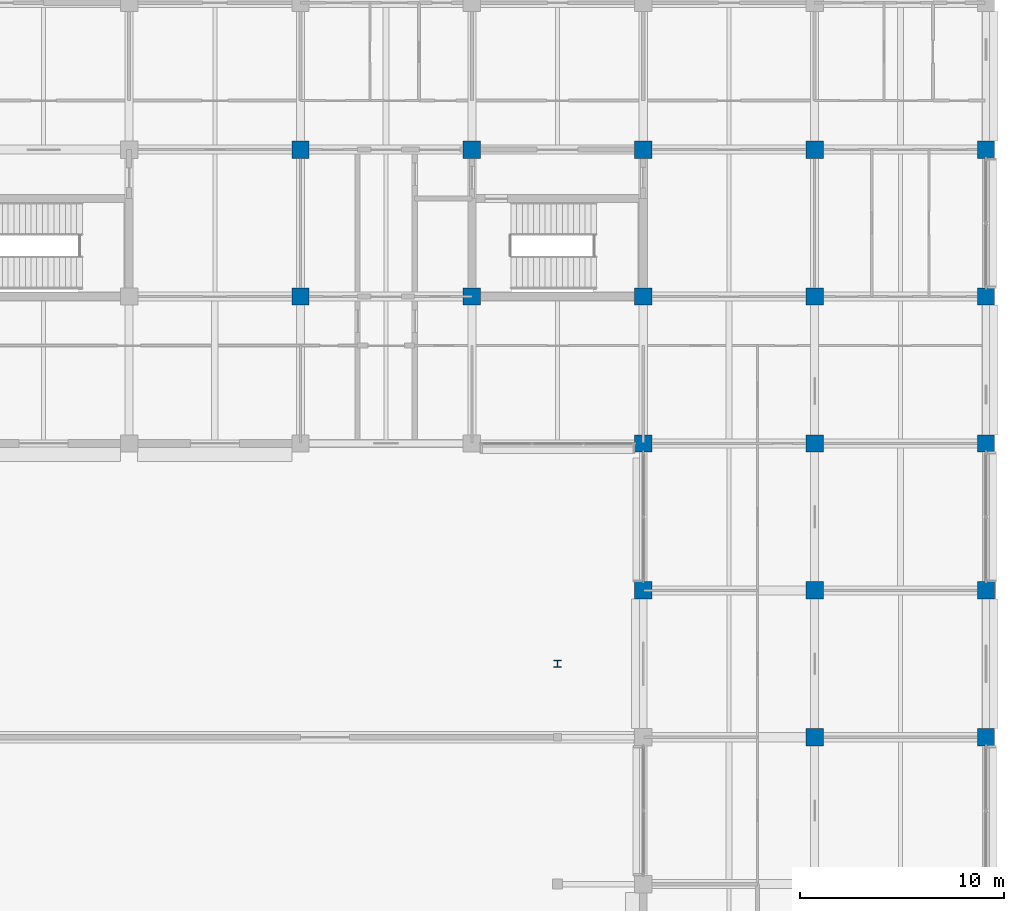
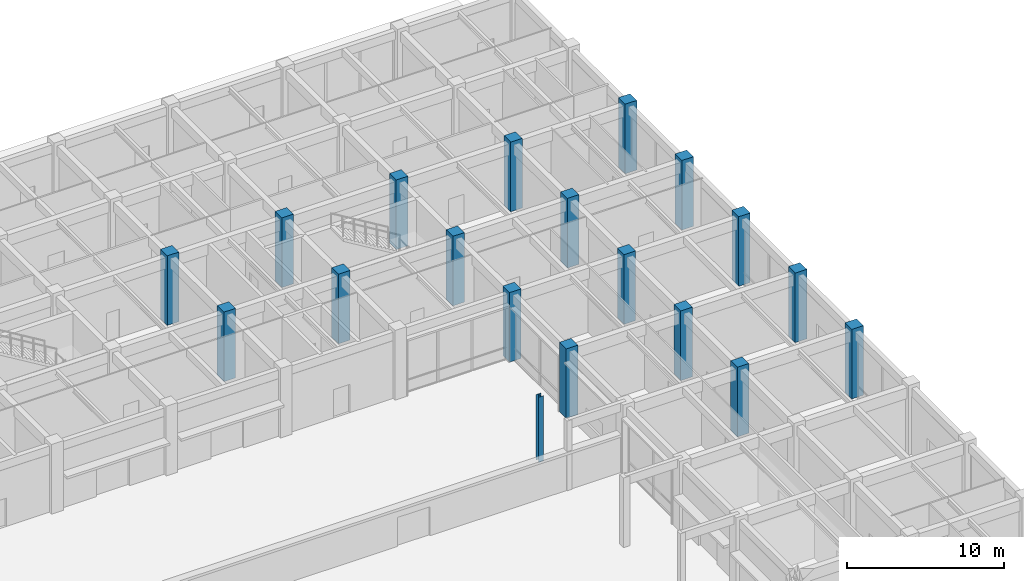
# One storey, part 6 of 73: 19 columns.
"""IFC4 building model written with IfcOpenShell, lengths in metres."""

from ifc_helpers import new_model, si_unit, direction, frame, origin, origin_2d, place, context, subcontext, project, spatial, rectangle, i_section, extrude, material, material_profile, profile_set, type_object, element, save


model = new_model("IFC4")

# Units and contexts
model_context = context("Model", 3, precision=1e-05, world=origin(), true_north=direction((0.0, 1.0)))
body_context = subcontext(model_context, "Body", "Model", "MODEL_VIEW")
ifc_project = project(units=[si_unit("LENGTHUNIT", "METRE"), si_unit("AREAUNIT", "SQUARE_METRE"), si_unit("VOLUMEUNIT", "CUBIC_METRE"), si_unit("PLANEANGLEUNIT", "RADIAN"), si_unit("MASSUNIT", "GRAM", prefix="KILO")], contexts=[model_context])

# Site, building, storey
site_placement = place(None, origin())
site = spatial("IfcSite", under=ifc_project, at=site_placement, CompositionType="ELEMENT")
building_placement = place(site_placement, origin())
building = spatial("IfcBuilding", under=site, at=building_placement, Name="Chengyuan Square Courthouse", CompositionType="ELEMENT")
storey_placement = place(building_placement, origin())
storey = spatial("IfcBuildingStorey", under=building, at=storey_placement, Name="L01", CompositionType="ELEMENT", Elevation=0.0)

# Columns
ifc_material_1 = material(Name="Concrete C50", Category="concrete")
ifc_material_profile_1 = material_profile(ifc_material_1, rectangle(XDim=0.85009765625, YDim=0.85009765625, at=origin_2d()), Name="RC-COL-850x850")
ifc_profile_set_1 = profile_set([ifc_material_profile_1], Name="Concrete C50")
column_type_1 = type_object("IfcColumnType", Name="CL-03", PredefinedType="COLUMN", material=ifc_profile_set_1)
for number, where, z_axis, x_axis, name in (
    (1, (134.39990234375, 86.39990234375, 0.0), (0.0, 0.0, 1.0), (1.0, 0.0, 0.0), "Column CL-L01-131"),
    (2, (134.39990234375, 93.60009765625, 0.0), (0.0, 0.0, 1.0), (1.0, 0.0, 0.0), "Column CL-L01-132"),
    (3, (142.800048828125, 86.39990234375, 0.0), (0.0, 0.0, 1.0), (1.0, 0.0, 0.0), "Column CL-L01-136"),
    (4, (142.800048828125, 93.60009765625, 0.0), (0.0, 0.0, 1.0), (1.0, 0.0, 0.0), "Column CL-L01-137"),
    (5, (151.199951171875, 72.0, 0.0), (0.0, 0.0, 1.0), (1.0, 0.0, 0.0), "Column CL-L01-150"),
    (6, (151.199951171875, 79.199951171875, 0.0), (0.0, 0.0, 1.0), (1.0, 0.0, 0.0), "Column CL-L01-151"),
    (7, (151.199951171875, 86.39990234375, 0.0), (0.0, 0.0, 1.0), (1.0, 0.0, 0.0), "Column CL-L01-152"),
    (8, (151.199951171875, 93.60009765625, 0.0), (0.0, 0.0, 1.0), (1.0, 0.0, 0.0), "Column CL-L01-153"),
    (9, (159.60009765625, 64.800048828125, 0.0), (0.0, 0.0, 1.0), (1.0, 0.0, 0.0), "Column CL-L01-165"),
    (10, (159.60009765625, 72.0, 0.0), (0.0, 0.0, 1.0), (1.0, 0.0, 0.0), "Column CL-L01-166"),
    (11, (159.60009765625, 79.199951171875, 0.0), (0.0, 0.0, 1.0), (1.0, 0.0, 0.0), "Column CL-L01-167"),
    (12, (159.60009765625, 86.39990234375, 0.0), (0.0, 0.0, 1.0), (1.0, 0.0, 0.0), "Column CL-L01-168"),
    (13, (159.60009765625, 93.60009765625, 0.0), (0.0, 0.0, 1.0), (1.0, 0.0, 0.0), "Column CL-L01-169"),
    (14, (168.0, 64.800048828125, 0.0), (0.0, 0.0, 1.0), (1.0, 0.0, 0.0), "Column CL-L01-181"),
    (15, (168.0, 72.0, 0.0), (0.0, 0.0, 1.0), (1.0, 0.0, 0.0), "Column CL-L01-182"),
    (16, (168.0, 79.199951171875, 0.0), (0.0, 0.0, 1.0), (1.0, 0.0, 0.0), "Column CL-L01-183"),
    (17, (168.0, 86.39990234375, 0.0), (0.0, 0.0, 1.0), (1.0, 0.0, 0.0), "Column CL-L01-184"),
    (18, (168.0, 93.60009765625, 0.0), (0.0, 0.0, 1.0), (1.0, 0.0, 0.0), "Column CL-L01-185"),
):
    element("IfcColumn", number, at=place(storey_placement, frame(where, z_axis=z_axis, x_axis=x_axis)), inside=storey, type_object=column_type_1, Name=name, PredefinedType="COLUMN", context=body_context, shape_type="SweptSolid", body=[
        extrude(rectangle(XDim=0.85009765625, YDim=0.85009765625, at=origin_2d()), origin(), (0.0, 0.0, 1.0), 5.39990234375),
    ])
ifc_material_2 = material(Name="Steel Q355B", Category="steel")
ifc_material_profile_2 = material_profile(ifc_material_2, i_section(OverallWidth=0.35009765625, OverallDepth=0.35009765625, WebThickness=0.011962890625, FlangeThickness=0.01904296875, at=origin_2d()), Name="HW 350x350x12x19")
ifc_profile_set_2 = profile_set([ifc_material_profile_2], Name="Steel Q355B")
column_type_2 = type_object("IfcColumnType", Name="SC-02", PredefinedType="COLUMN", material=ifc_profile_set_2)
column_placement = place(storey_placement, frame((147.0, 68.39990234375, 0.0), z_axis=(0.0, 0.0, 1.0), x_axis=(1.0, 0.0, 0.0)))
element("IfcColumn", 19, at=column_placement, inside=storey, type_object=column_type_2, Name="Forecourt Canopy Steel Post SCP-L01-05", PredefinedType="COLUMN", context=body_context, shape_type="SweptSolid", body=[
    extrude(i_section(OverallWidth=0.35009765625, OverallDepth=0.35009765625, WebThickness=0.011962890625, FlangeThickness=0.01904296875, at=origin_2d()), origin(), (0.0, 0.0, 1.0), 5.06005859375),
])

save(model, "model.ifc")
